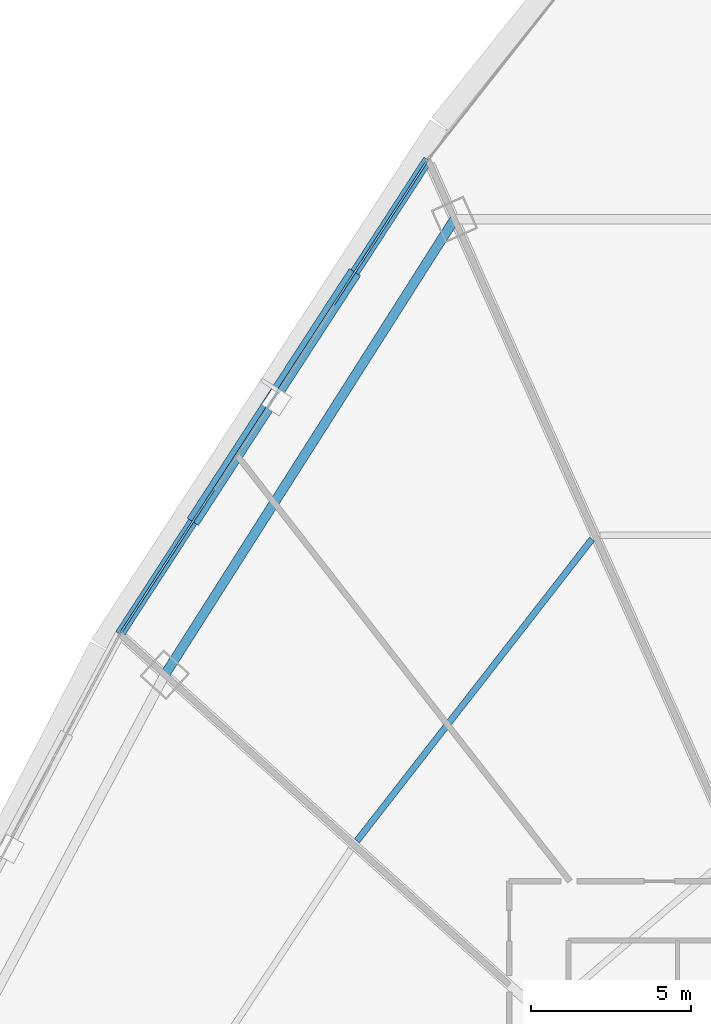
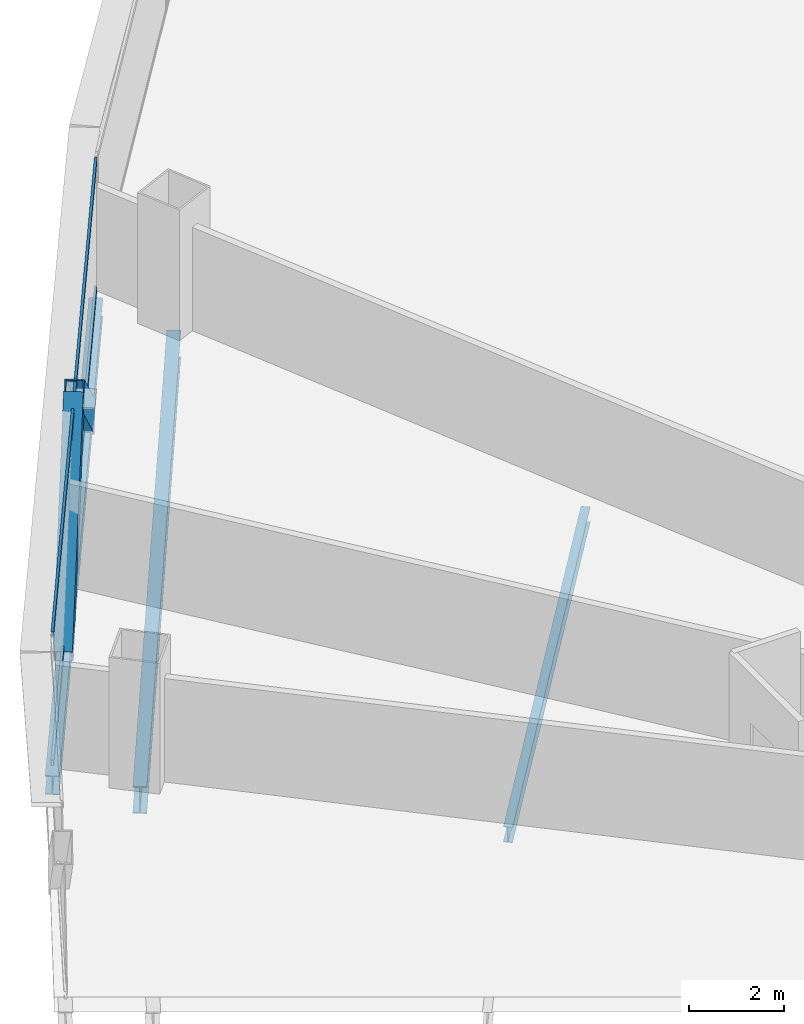
# One storey, part 16 of 38: 4 members, 3 beams, 1 element without a shape of its own.
"""IFC4 building model written with IfcOpenShell, lengths in metres."""

from ifc_helpers import new_model, si_unit, direction, frame, origin, origin_2d, place, context, subcontext, project, spatial, hollow_rectangle, i_section, extrude, source, transform, mapped, material, layer, layer_set, material_profile, profile_set, type_object, element, aggregate, save


model = new_model("IFC4")

# Units and contexts
model_context = context("Model", 3, precision=1e-05, world=origin(), true_north=direction((0.0, 1.0)))
body_context = subcontext(model_context, "Body", "Model", "MODEL_VIEW")
ifc_project = project(units=[si_unit("LENGTHUNIT", "METRE"), si_unit("AREAUNIT", "SQUARE_METRE"), si_unit("VOLUMEUNIT", "CUBIC_METRE"), si_unit("PLANEANGLEUNIT", "RADIAN"), si_unit("MASSUNIT", "GRAM", prefix="KILO"), si_unit("THERMODYNAMICTEMPERATUREUNIT", "KELVIN"), si_unit("POWERUNIT", "WATT")], contexts=[model_context])

# Site, building, storey
site_placement = place(None, origin())
site = spatial("IfcSite", under=ifc_project, at=site_placement, CompositionType="ELEMENT")
building_placement = place(site_placement, origin())
building = spatial("IfcBuilding", under=site, at=building_placement, Name="Yunzhuo Pagoda Commons", CompositionType="ELEMENT")
storey_placement = place(building_placement, frame((0.0, 0.0, 37.659912109375)))
storey = spatial("IfcBuildingStorey", under=building, at=storey_placement, Name="L09", CompositionType="ELEMENT", Elevation=37.659912109375)

# Beams
ifc_material_1 = material(Name="Structural steel Q355B", Category="steel")
ifc_material_profile_1 = material_profile(ifc_material_1, i_section(OverallWidth=0.300048828125, OverallDepth=0.699951171875, WebThickness=0.012939453125, FlangeThickness=0.02392578125, at=origin_2d()), Name="Structural steel Q355B")
ifc_profile_set_1 = profile_set([ifc_material_profile_1], Name="Structural steel Q355B")
beam_type_1 = type_object("IfcBeamType", Name="B-RG1 Beam HN 700x300x13x24", PredefinedType="BEAM", material=ifc_profile_set_1)
shared_shape_1 = source(origin(), body_context, "Body", "SweptSolid", [
    extrude(i_section(OverallWidth=0.300048828125, OverallDepth=0.699951171875, WebThickness=0.012939453125, FlangeThickness=0.02392578125, at=origin_2d()), origin(), (0.0, 0.0, 1.0), 16.843994140625),
])
beam_1_placement = place(storey_placement, frame((31.38916015625, 71.008544921875, -0.60986328125), z_axis=(-0.536558458992, -0.843863152462, 0.0), x_axis=(0.843863152462, -0.536558458992, 0.0)))
element("IfcBeam", 1, at=beam_1_placement, inside=storey, type_object=beam_type_1, Name="L09 column-ring beam 9", PredefinedType="BEAM", context=body_context, shape_type="MappedRepresentation", body=[
    mapped(shared_shape_1, transform((0.0, 0.0, 0.0), scale=1.0)),
])
ifc_material_profile_2 = material_profile(ifc_material_1, i_section(OverallWidth=0.300048828125, OverallDepth=0.488037109375, WebThickness=0.010986328125, FlangeThickness=0.01806640625, at=origin_2d()), Name="Structural steel Q355B")
ifc_profile_set_2 = profile_set([ifc_material_profile_2], Name="Structural steel Q355B")
beam_type_2 = type_object("IfcBeamType", Name="B-SP1 Beam HM 488x300x11x18", PredefinedType="BEAM", material=ifc_profile_set_2)
shared_shape_2 = source(origin(), body_context, "Body", "SweptSolid", [
    extrude(i_section(OverallWidth=0.300048828125, OverallDepth=0.488037109375, WebThickness=0.010986328125, FlangeThickness=0.01806640625, at=origin_2d()), origin(), (0.0, 0.0, 1.0), 17.65625),
])
beam_2_placement = place(storey_placement, frame((30.560546875, 72.869384765625, -0.50390625), z_axis=(-0.544659757043, -0.838657110539, 0.0), x_axis=(0.838657110539, -0.544659757043, 0.0)))
element("IfcBeam", 2, at=beam_2_placement, inside=storey, type_object=beam_type_2, Name="L09 facade edge spandrel beam F3.1", PredefinedType="BEAM", context=body_context, shape_type="MappedRepresentation", body=[
    mapped(shared_shape_2, transform((0.0, 0.0, 0.0), scale=1.0)),
])
ifc_material_profile_3 = material_profile(ifc_material_1, i_section(OverallWidth=0.199951171875, OverallDepth=0.39990234375, WebThickness=0.008056640625, FlangeThickness=0.012939453125, at=origin_2d()), Name="Structural steel Q355B")
ifc_profile_set_3 = profile_set([ifc_material_profile_3], Name="Structural steel Q355B")
beam_type_3 = type_object("IfcBeamType", Name="B-JS1 Joist HN 400x200x8x13", PredefinedType="JOIST", material=ifc_profile_set_3)
shared_shape_3 = source(origin(), body_context, "Body", "SweptSolid", [
    extrude(i_section(OverallWidth=0.199951171875, OverallDepth=0.39990234375, WebThickness=0.008056640625, FlangeThickness=0.012939453125, at=origin_2d()), origin(), (0.0, 0.0, 1.0), 11.934326171875),
])
beam_3_placement = place(storey_placement, frame((35.680908203125, 61.0244140625, -0.4599609375), z_axis=(-0.614546587023, -0.788880531119, 0.0), x_axis=(0.788880531119, -0.614546587023, 0.0)))
element("IfcBeam", 3, at=beam_3_placement, inside=storey, type_object=beam_type_3, Name="L09 composite ring joist 2.9", PredefinedType="JOIST", context=body_context, shape_type="MappedRepresentation", body=[
    mapped(shared_shape_3, transform((0.0, 0.0, 0.0), scale=1.0)),
])

# Members
ifc_material_2 = material(Name="Structural steel Q420B", Category="steel")
ifc_material_profile_4 = material_profile(ifc_material_2, hollow_rectangle(XDim=0.419921875, YDim=0.719970703125, WallThickness=0.028076171875, at=origin_2d()), Name="Structural steel Q420B")
ifc_profile_set_4 = profile_set([ifc_material_profile_4], Name="Structural steel Q420B")
member_type_1 = type_object("IfcMemberType", Name="M-DL1 Brace BOX 720x420x28", PredefinedType="BRACE", material=ifc_profile_set_4)
shared_shape_4 = source(origin(), body_context, "Body", "SweptSolid", [
    extrude(hollow_rectangle(XDim=0.419921875, YDim=0.719970703125, WallThickness=0.028076171875, at=origin_2d()), origin(), (0.0, 0.0, 1.0), 5.715087890625),
])
for number, where, z_axis, x_axis, name in (
    (4, (28.15625, 69.167724609375, -0.260009765625), (-0.420643965325, -0.647775473768, 0.635173669181), (0.838686148421, -0.544615042436, 0.0), "L09 facade diamond brace F3.1L"),
    (5, (23.347900390625, 61.763671875, -0.260009765625), (0.420690764353, 0.647739039387, 0.635179830947), (-0.838644478303, 0.544679207435, 0.0), "L09 facade diamond brace F3.1R"),
):
    element("IfcMember", number, at=place(storey_placement, frame(where, z_axis=z_axis, x_axis=x_axis)), inside=storey, type_object=member_type_1, Name=name, PredefinedType="BRACE", context=body_context, shape_type="MappedRepresentation", body=[
        mapped(shared_shape_4, transform((0.0, 0.0, 0.0), scale=1.0)),
    ])

# Curtain wall, members
ifc_material_3 = material(Name="Anodized aluminium 6063-T6", Category="aluminium")
ifc_layer = layer(ifc_material_3, 0.1650390625)
ifc_layer_set = layer_set([ifc_layer], Name="Anodized aluminium 6063-T6")
curtain_wall_type = type_object("IfcCurtainWallType", Name="CW-LOW Low-Zone Ribbon Curtain Wall", PredefinedType="NOTDEFINED", material=ifc_layer_set)
curtain_wall_placement = place(storey_placement, origin())
curtain_wall = element("IfcCurtainWall", 6, at=curtain_wall_placement, inside=storey, type_object=curtain_wall_type, Name="L09 curtain wall CW-L09-F3B2", PredefinedType="NOTDEFINED")
ifc_material_profile_5 = material_profile(ifc_material_3, hollow_rectangle(XDim=0.06005859375, YDim=0.139892578125, WallThickness=0.00341796875, at=origin_2d()), Name="Anodized aluminium 6063-T6")
ifc_profile_set_5 = profile_set([ifc_material_profile_5], Name="Anodized aluminium 6063-T6")
member_type_2 = type_object("IfcMemberType", Name="CW-LOW-T Transom RHS 140x60x3.5", PredefinedType="USERDEFINED", material=ifc_profile_set_5)
shared_shape_5 = source(origin(), body_context, "Body", "SweptSolid", [
    extrude(hollow_rectangle(XDim=0.06005859375, YDim=0.139892578125, WallThickness=0.00341796875, at=origin_2d()), origin(), (0.0, 0.0, 1.0), 17.526611328125),
])
member_1_placement = place(storey_placement, frame((30.525390625, 72.81494140625, 0.030029296875), z_axis=(-0.544675936796, -0.838646602494, 0.0), x_axis=(0.838646602494, -0.544675936796, 0.0)))
member_1 = element("IfcMember", 7, at=member_1_placement, type_object=member_type_2, Name="CW transom 1.1", ObjectType="TRANSOM", PredefinedType="USERDEFINED", context=body_context, shape_type="MappedRepresentation", body=[
    mapped(shared_shape_5, transform((0.0, 0.0, 0.0), scale=1.0)),
])
member_2_placement = place(storey_placement, frame((30.525390625, 72.81494140625, 3.340087890625), z_axis=(-0.544675936796, -0.838646602494, 0.0), x_axis=(0.838646602494, -0.544675936796, 0.0)))
member_2 = element("IfcMember", 8, at=member_2_placement, type_object=member_type_2, Name="CW transom 1.2", ObjectType="TRANSOM", PredefinedType="USERDEFINED", context=body_context, shape_type="MappedRepresentation", body=[
    mapped(shared_shape_5, transform((0.0, 0.0, 0.0), scale=1.0)),
])
aggregate(curtain_wall, [member_1, member_2])

save(model, "model.ifc")
